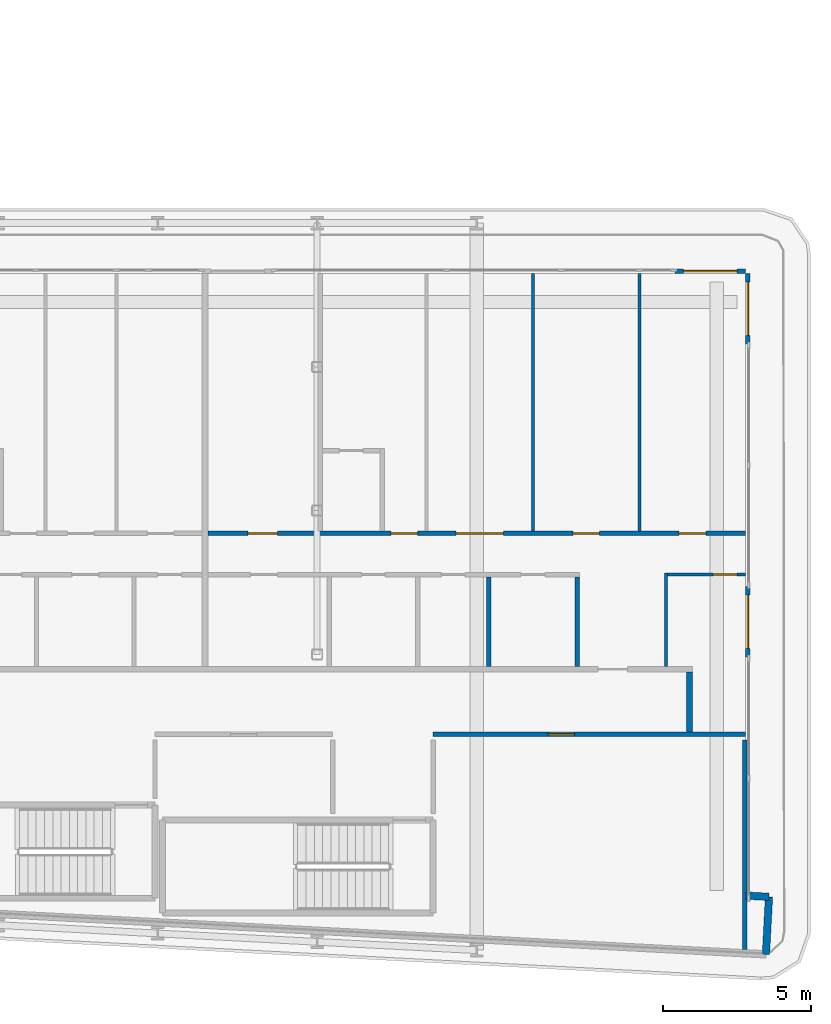
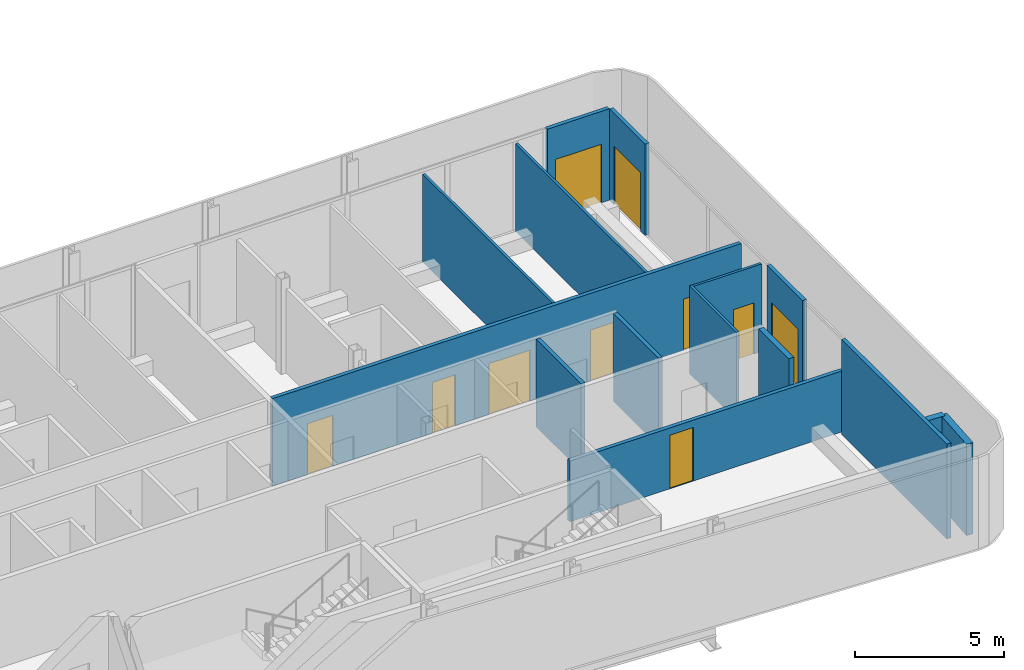
# One storey, part 20 of 29: 15 walls, 10 doors, 10 openings.
"""IFC4 building model written with IfcOpenShell, lengths in metres."""

from ifc_helpers import new_model, si_unit, direction, frame, frame_2d, origin, place, context, subcontext, project, spatial, rectangle, extrude, source, transform, mapped, material, layer, layer_set, type_object, element, fill, save


model = new_model("IFC4")

# Units and contexts
model_context = context("Model", 3, precision=1e-05, world=origin(), true_north=direction((0.0, 1.0)))
body_context = subcontext(model_context, "Body", "Model", "MODEL_VIEW")
ifc_project = project(units=[si_unit("LENGTHUNIT", "METRE"), si_unit("AREAUNIT", "SQUARE_METRE"), si_unit("VOLUMEUNIT", "CUBIC_METRE"), si_unit("PLANEANGLEUNIT", "RADIAN"), si_unit("MASSUNIT", "GRAM", prefix="KILO")], contexts=[model_context])

# Site, building, storey
site_placement = place(None, origin())
site = spatial("IfcSite", under=ifc_project, at=site_placement, CompositionType="ELEMENT")
building_placement = place(site_placement, origin())
building = spatial("IfcBuilding", under=site, at=building_placement, Name="Kheshtan School and Residences Tower", CompositionType="ELEMENT")
storey_placement = place(building_placement, frame((0.0, 0.0, 121.39990234375)))
storey = spatial("IfcBuildingStorey", under=building, at=storey_placement, Name="L28", CompositionType="ELEMENT", Elevation=121.39990234375)

# Walls
ifc_material_1 = material(Name="Gypsum board on steel studs with fire boards", Category="steel")
ifc_layer_1 = layer(ifc_material_1, 0.199951171875)
ifc_layer_set_1 = layer_set([ifc_layer_1], Name="Corridor wall 200")
wall_type_1 = type_object("IfcWallType", Name="Corridor wall 200", PredefinedType="PARTITIONING", material=ifc_layer_set_1)
wall_1_placement = place(storey_placement, frame((98.0, 28.3740234375, 0.0), z_axis=(0.0, 0.0, 1.0), x_axis=(0.0, 1.0, 0.0)))
element("IfcWall", 1, at=wall_1_placement, inside=storey, type_object=wall_type_1, Name="Partition L28-094", PredefinedType="PARTITIONING", context=body_context, shape_type="SweptSolid", body=[
    extrude(rectangle(XDim=2.02587890625, YDim=0.199951171875, at=frame_2d((1.012939453125, 0.0))), origin(), (0.0, 0.0, 1.0), 3.60009765625),
])
ifc_material_2 = material(Name="Concrete C40/50 with ceramic cladding and mineral wool insulation", Category="concrete")
ifc_layer_2 = layer(ifc_material_2, 0.25)
ifc_layer_set_2 = layer_set([ifc_layer_2], Name="External wall 250 ceramic clad")
wall_type_2 = type_object("IfcWallType", Name="External wall 250 ceramic clad", PredefinedType="SOLIDWALL", material=ifc_layer_set_2)
wall_2_placement = place(storey_placement, frame((99.906982421875, 22.839111328125, 0.0), z_axis=(0.0, 0.0, 1.0), x_axis=(0.998561284263, -0.053622398031, 0.0)))
element("IfcWall", 2, at=wall_2_placement, inside=storey, type_object=wall_type_2, Name="External wall L28 14", PredefinedType="SOLIDWALL", context=body_context, shape_type="SweptSolid", body=[
    extrude(rectangle(XDim=0.783203125, YDim=0.25, at=frame_2d((0.3916015625, 0.0))), origin(), (0.0, 0.0, 1.0), 3.75),
])
wall_3_placement = place(storey_placement, frame((100.68896484375, 22.797119140625, 0.0), z_axis=(0.0, 0.0, 1.0), x_axis=(-0.052841433274, -0.998602915542, 0.0)))
element("IfcWall", 3, at=wall_3_placement, inside=storey, type_object=wall_type_2, Name="External wall L28 15", PredefinedType="SOLIDWALL", context=body_context, shape_type="SweptSolid", body=[
    extrude(rectangle(XDim=1.94970703125, YDim=0.25, at=frame_2d((0.974853515625, 0.0))), origin(), (0.0, 0.0, 1.0), 3.75),
])

# Wall, opening, door
ifc_material_3 = material(Name="Aluminium frame wall with insulated infill", Category="aluminium")
ifc_layer_3 = layer(ifc_material_3, 0.14990234375)
ifc_layer_set_3 = layer_set([ifc_layer_3], Name="Glazing frame wall 150")
wall_type_3 = type_object("IfcWallType", Name="Glazing frame wall 150", PredefinedType="SOLIDWALL", material=ifc_layer_set_3)
wall_4_placement = place(storey_placement, frame((97.5, 43.97509765625, 0.0), z_axis=(0.0, 0.0, 1.0), x_axis=(1.0, 0.0, 0.0)))
wall_4 = element("IfcWall", 4, at=wall_4_placement, inside=storey, type_object=wall_type_3, Name="Balcony door wall L28 12.5", PredefinedType="SOLIDWALL", context=body_context, shape_type="SweptSolid", body=[
    extrude(rectangle(XDim=2.39990234375, YDim=0.14990234375, at=frame_2d((1.199951171875, 0.0))), origin(), (0.0, 0.0, 1.0), 3.75),
])
opening_1_placement = place(wall_4_placement, frame((0.300048828125, 0.0, 0.0)))
opening_1 = element("IfcOpeningElement", 5, at=opening_1_placement, cuts=wall_4, Name="Opening BD", PredefinedType="OPENING", context=body_context, shape_type="SweptSolid", body=[
    extrude(rectangle(XDim=1.800048828125, YDim=2.39990234375, at=frame_2d((0.89990234375, 1.199951171875))), frame((0.0, 0.0849609375, 0.0), z_axis=(0.0, -1.0, 0.0), x_axis=(1.0, 0.0, 0.0)), (0.0, 0.0, 1.0), 0.169921875),
])
ifc_material_4 = material(Name="Clear low-e glass in thermally broken aluminium frame", Category="aluminium")
door_type_1 = type_object("IfcDoorType", Name="Balcony sliding door", OperationType="SLIDING_TO_LEFT", PredefinedType="DOOR", material=ifc_material_4)
shared_shape_1 = source(origin(), body_context, "Body", "SweptSolid", [
    extrude(rectangle(XDim=1.800048828125, YDim=2.39990234375, at=frame_2d((0.89990234375, 1.199951171875))), frame((0.0, 0.02490234375, 0.0), z_axis=(0.0, -1.0, 0.0), x_axis=(1.0, 0.0, 0.0)), (0.0, 0.0, 1.0), 0.050048828125),
])
door_1_placement = place(opening_1_placement, origin())
door_1 = element("IfcDoor", 6, at=door_1_placement, inside=storey, type_object=door_type_1, Name="Balcony door L28 12.5", OperationType="SLIDING_TO_LEFT", OverallHeight=2.39990234375, OverallWidth=1.800048828125, PredefinedType="DOOR", context=body_context, shape_type="MappedRepresentation", body=[
    mapped(shared_shape_1, transform((0.0, 0.0, 0.0), x_axis=(1.0, 0.0, 0.0), y_axis=(0.0, 1.0, 0.0), z_axis=(0.0, 0.0, 1.0), scale=1.0)),
])
fill(opening_1, door_1)

wall_5_placement = place(storey_placement, frame((99.97509765625, 43.89990234375, 0.0), z_axis=(0.0, 0.0, 1.0), x_axis=(0.0, -1.0, 0.0)))
wall_5 = element("IfcWall", 7, at=wall_5_placement, inside=storey, type_object=wall_type_3, Name="Balcony door wall L28 13.1", PredefinedType="SOLIDWALL", context=body_context, shape_type="SweptSolid", body=[
    extrude(rectangle(XDim=2.39990234375, YDim=0.14990234375, at=frame_2d((1.199951171875, 0.0))), origin(), (0.0, 0.0, 1.0), 3.75),
])
opening_2_placement = place(wall_5_placement, frame((0.300048828125, 0.0, 0.0)))
opening_2 = element("IfcOpeningElement", 8, at=opening_2_placement, cuts=wall_5, Name="Opening BD", PredefinedType="OPENING", context=body_context, shape_type="SweptSolid", body=[
    extrude(rectangle(XDim=1.800048828125, YDim=2.39990234375, at=frame_2d((0.89990234375, 1.199951171875))), frame((0.0, 0.0849609375, 0.0), z_axis=(0.0, -1.0, 0.0), x_axis=(1.0, 0.0, 0.0)), (0.0, 0.0, 1.0), 0.169921875),
])
door_2_placement = place(opening_2_placement, origin())
door_2 = element("IfcDoor", 9, at=door_2_placement, inside=storey, type_object=door_type_1, Name="Balcony door L28 13.1", OperationType="SLIDING_TO_LEFT", OverallHeight=2.39990234375, OverallWidth=1.800048828125, PredefinedType="DOOR", context=body_context, shape_type="MappedRepresentation", body=[
    mapped(shared_shape_1, transform((0.0, 0.0, 0.0), x_axis=(1.0, 0.0, 0.0), y_axis=(0.0, 1.0, 0.0), z_axis=(0.0, 0.0, 1.0), scale=1.0)),
])
fill(opening_2, door_2)

wall_6_placement = place(storey_placement, frame((99.97509765625, 33.306884765625, 0.0), z_axis=(0.0, 0.0, 1.0), x_axis=(0.0, -1.0, 0.0)))
wall_6 = element("IfcWall", 10, at=wall_6_placement, inside=storey, type_object=wall_type_3, Name="Balcony door wall L28 13.2", PredefinedType="SOLIDWALL", context=body_context, shape_type="SweptSolid", body=[
    extrude(rectangle(XDim=2.39990234375, YDim=0.14990234375, at=frame_2d((1.199951171875, 0.0))), origin(), (0.0, 0.0, 1.0), 3.75),
])
opening_3_placement = place(wall_6_placement, frame((0.300048828125, 0.0, 0.0)))
opening_3 = element("IfcOpeningElement", 11, at=opening_3_placement, cuts=wall_6, Name="Opening BD", PredefinedType="OPENING", context=body_context, shape_type="SweptSolid", body=[
    extrude(rectangle(XDim=1.800048828125, YDim=2.39990234375, at=frame_2d((0.89990234375, 1.199951171875))), frame((0.0, 0.0849609375, 0.0), z_axis=(0.0, -1.0, 0.0), x_axis=(1.0, 0.0, 0.0)), (0.0, 0.0, 1.0), 0.169921875),
])
door_3_placement = place(opening_3_placement, origin())
door_3 = element("IfcDoor", 12, at=door_3_placement, inside=storey, type_object=door_type_1, Name="Balcony door L28 13.2", OperationType="SLIDING_TO_LEFT", OverallHeight=2.39990234375, OverallWidth=1.800048828125, PredefinedType="DOOR", context=body_context, shape_type="MappedRepresentation", body=[
    mapped(shared_shape_1, transform((0.0, 0.0, 0.0), x_axis=(1.0, 0.0, 0.0), y_axis=(0.0, 1.0, 0.0), z_axis=(0.0, 0.0, 1.0), scale=1.0)),
])
fill(opening_3, door_3)

# Walls
ifc_material_5 = material(Name="Gypsum board on steel studs", Category="steel")
ifc_layer_4 = layer(ifc_material_5, 0.10009765625)
ifc_layer_set_4 = layer_set([ifc_layer_4], Name="Gypsum partition 100")
wall_type_4 = type_object("IfcWallType", Name="Gypsum partition 100", PredefinedType="PARTITIONING", material=ifc_layer_set_4)
for number, where, z_axis, x_axis, name in (
    (13, (92.699951171875, 35.175048828125, 0.0), (0.0, 0.0, 1.0), (0.0, 1.0, 0.0), "Partition L28-089"),
    (14, (96.300048828125, 35.175048828125, 0.0), (0.0, 0.0, 1.0), (0.0, 1.0, 0.0), "Partition L28-091"),
):
    element("IfcWall", number, at=place(storey_placement, frame(where, z_axis=z_axis, x_axis=x_axis)), inside=storey, type_object=wall_type_4, Name=name, PredefinedType="PARTITIONING", context=body_context, shape_type="SweptSolid", body=[
        extrude(rectangle(XDim=8.724853515625, YDim=0.10009765625, at=frame_2d((4.3623046875, 0.0))), origin(), (0.0, 0.0, 1.0), 3.60009765625),
    ])
wall_7_placement = place(storey_placement, frame((97.199951171875, 30.60009765625, 0.0), z_axis=(0.0, 0.0, 1.0), x_axis=(0.0, 1.0, 0.0)))
element("IfcWall", 15, at=wall_7_placement, inside=storey, type_object=wall_type_4, Name="Partition L28-092", PredefinedType="PARTITIONING", context=body_context, shape_type="SweptSolid", body=[
    extrude(rectangle(XDim=3.14990234375, YDim=0.10009765625, at=frame_2d((1.574951171875, 0.0))), origin(), (0.0, 0.0, 1.0), 3.60009765625),
])

# Wall, opening, door
wall_8_placement = place(storey_placement, frame((97.25, 33.699951171875, 0.0), z_axis=(0.0, 0.0, 1.0), x_axis=(1.0, 0.0, 0.0)))
wall_8 = element("IfcWall", 16, at=wall_8_placement, inside=storey, type_object=wall_type_4, Name="Partition L28-093", PredefinedType="PARTITIONING", context=body_context, shape_type="SweptSolid", body=[
    extrude(rectangle(XDim=2.64990234375, YDim=0.10009765625, at=frame_2d((1.324951171875, 0.0))), origin(), (0.0, 0.0, 1.0), 3.60009765625),
])
opening_4_placement = place(wall_8_placement, frame((1.550048828125, 0.0, 0.0)))
opening_4 = element("IfcOpeningElement", 17, at=opening_4_placement, cuts=wall_8, Name="Opening D27-027", PredefinedType="OPENING", context=body_context, shape_type="SweptSolid", body=[
    extrude(rectangle(XDim=0.800048828125, YDim=2.10009765625, at=frame_2d((0.39990234375, 1.050048828125))), frame((0.0, 0.06005859375, 0.0), z_axis=(0.0, -1.0, 0.0), x_axis=(1.0, 0.0, 0.0)), (0.0, 0.0, 1.0), 0.1201171875),
])
ifc_material_6 = material(Name="Veneered timber door leaf", Category="wood")
door_type_2 = type_object("IfcDoorType", Name="Door 800 x 2100", OperationType="SINGLE_SWING_LEFT", PredefinedType="DOOR", material=ifc_material_6)
shared_shape_2 = source(origin(), body_context, "Body", "SweptSolid", [
    extrude(rectangle(XDim=0.800048828125, YDim=2.10009765625, at=frame_2d((0.39990234375, 1.050048828125))), frame((0.0, 0.02490234375, 0.0), z_axis=(0.0, -1.0, 0.0), x_axis=(1.0, 0.0, 0.0)), (0.0, 0.0, 1.0), 0.050048828125),
])
door_4_placement = place(opening_4_placement, origin())
door_4 = element("IfcDoor", 18, at=door_4_placement, inside=storey, type_object=door_type_2, Name="Door D27-027", OperationType="SINGLE_SWING_LEFT", OverallHeight=2.10009765625, OverallWidth=0.800048828125, PredefinedType="DOOR", context=body_context, shape_type="MappedRepresentation", body=[
    mapped(shared_shape_2, transform((0.0, 0.0, 0.0), x_axis=(1.0, 0.0, 0.0), y_axis=(0.0, 1.0, 0.0), z_axis=(0.0, 0.0, 1.0), scale=1.0)),
])
fill(opening_4, door_4)

ifc_material_7 = material(Name="Fire-board shaft wall system")
ifc_layer_5 = layer(ifc_material_7, 0.14990234375)
ifc_layer_set_5 = layer_set([ifc_layer_5], Name="Service room wall 150")
wall_type_5 = type_object("IfcWallType", Name="Service room wall 150", PredefinedType="PARTITIONING", material=ifc_layer_set_5)
wall_9_placement = place(storey_placement, frame((89.320068359375, 28.300048828125, 0.0), z_axis=(0.0, 0.0, 1.0), x_axis=(1.0, 0.0, 0.0)))
wall_9 = element("IfcWall", 19, at=wall_9_placement, inside=storey, type_object=wall_type_5, Name="Service room wall", PredefinedType="PARTITIONING", context=body_context, shape_type="SweptSolid", body=[
    extrude(rectangle(XDim=10.577880859375, YDim=0.14990234375, at=frame_2d((5.2890625, 0.0))), origin(), (0.0, 0.0, 1.0), 2.5),
])
opening_5_placement = place(wall_9_placement, frame((3.889892578125, 0.0, 0.0)))
opening_5 = element("IfcOpeningElement", 20, at=opening_5_placement, cuts=wall_9, Name="Opening SR90", PredefinedType="OPENING", context=body_context, shape_type="SweptSolid", body=[
    extrude(rectangle(XDim=0.89990234375, YDim=2.199951171875, at=frame_2d((0.449951171875, 1.10009765625))), frame((0.0, 0.0849609375, 0.0), z_axis=(0.0, -1.0, 0.0), x_axis=(1.0, 0.0, 0.0)), (0.0, 0.0, 1.0), 0.169921875),
])
ifc_material_8 = material(Name="Steel door leaf, galvanised", Category="steel")
door_type_3 = type_object("IfcDoorType", Name="Service room door 900 steel 90 min", OperationType="SINGLE_SWING_LEFT", PredefinedType="DOOR", material=ifc_material_8)
shared_shape_3 = source(origin(), body_context, "Body", "SweptSolid", [
    extrude(rectangle(XDim=0.89990234375, YDim=2.199951171875, at=frame_2d((0.449951171875, 1.10009765625))), frame((0.0, 0.02490234375, 0.0), z_axis=(0.0, -1.0, 0.0), x_axis=(1.0, 0.0, 0.0)), (0.0, 0.0, 1.0), 0.050048828125),
])
door_5_placement = place(opening_5_placement, origin())
door_5 = element("IfcDoor", 21, at=door_5_placement, inside=storey, type_object=door_type_3, Name="Service room door", OperationType="SINGLE_SWING_RIGHT", OverallHeight=2.199951171875, OverallWidth=0.89990234375, PredefinedType="DOOR", context=body_context, shape_type="MappedRepresentation", body=[
    mapped(shared_shape_3, transform((0.0, 0.0, 0.0), x_axis=(1.0, 0.0, 0.0), y_axis=(0.0, 1.0, 0.0), z_axis=(0.0, 0.0, 1.0), scale=1.0)),
])
fill(opening_5, door_5)

# Wall
wall_10_placement = place(storey_placement, frame((99.8701171875, 21.014892578125, 0.0), z_axis=(0.0, 0.0, 1.0), x_axis=(0.0, 1.0, 0.0)))
element("IfcWall", 22, at=wall_10_placement, inside=storey, type_object=wall_type_5, Name="Service room wall", PredefinedType="PARTITIONING", context=body_context, shape_type="SweptSolid", body=[
    extrude(rectangle(XDim=7.090087890625, YDim=0.14990234375, at=frame_2d((3.544921875, 0.0))), origin(), (0.0, 0.0, 1.0), 3.900146484375),
])

# Wall, openings, doors
ifc_material_9 = material(Name="Moisture-resistant gypsum board on steel studs", Category="steel")
ifc_layer_6 = layer(ifc_material_9, 0.14990234375)
ifc_layer_set_6 = layer_set([ifc_layer_6], Name="Wet-room partition 150")
wall_type_6 = type_object("IfcWallType", Name="Wet-room partition 150", PredefinedType="PARTITIONING", material=ifc_layer_set_6)
wall_11_placement = place(storey_placement, frame((81.699951171875, 35.10009765625, 0.0), z_axis=(0.0, 0.0, 1.0), x_axis=(1.0, 0.0, 0.0)))
wall_11 = element("IfcWall", 23, at=wall_11_placement, inside=storey, type_object=wall_type_6, Name="Partition L28-081", PredefinedType="PARTITIONING", context=body_context, shape_type="SweptSolid", body=[
    extrude(rectangle(XDim=18.199951171875, YDim=0.14990234375, at=frame_2d((9.10009765625, 0.0))), origin(), (0.0, 0.0, 1.0), 3.60009765625),
])
opening_6_placement = place(wall_11_placement, frame((12.35009765625, 0.0, 0.0)))
opening_6 = element("IfcOpeningElement", 24, at=opening_6_placement, cuts=wall_11, Name="Opening D27-025", PredefinedType="OPENING", context=body_context, shape_type="SweptSolid", body=[
    extrude(rectangle(XDim=0.89990234375, YDim=2.10009765625, at=frame_2d((0.449951171875, 1.050048828125))), frame((0.0, 0.0849609375, 0.0), z_axis=(0.0, -1.0, 0.0), x_axis=(1.0, 0.0, 0.0)), (0.0, 0.0, 1.0), 0.169921875),
])
opening_7_placement = place(wall_11_placement, frame((15.949951171875, 0.0, 0.0)))
opening_7 = element("IfcOpeningElement", 25, at=opening_7_placement, cuts=wall_11, Name="Opening D27-026", PredefinedType="OPENING", context=body_context, shape_type="SweptSolid", body=[
    extrude(rectangle(XDim=0.89990234375, YDim=2.10009765625, at=frame_2d((0.449951171875, 1.050048828125))), frame((0.0, 0.0849609375, 0.0), z_axis=(0.0, -1.0, 0.0), x_axis=(1.0, 0.0, 0.0)), (0.0, 0.0, 1.0), 0.169921875),
])
opening_8_placement = place(wall_11_placement, frame((1.35009765625, 0.0, 0.0)))
opening_8 = element("IfcOpeningElement", 26, at=opening_8_placement, cuts=wall_11, Name="Opening D27-031", PredefinedType="OPENING", context=body_context, shape_type="SweptSolid", body=[
    extrude(rectangle(XDim=1.0, YDim=2.10009765625, at=frame_2d((0.5, 1.050048828125))), frame((0.0, 0.0849609375, 0.0), z_axis=(0.0, -1.0, 0.0), x_axis=(1.0, 0.0, 0.0)), (0.0, 0.0, 1.0), 0.169921875),
])
opening_9_placement = place(wall_11_placement, frame((8.39990234375, 0.0, 0.0)))
opening_9 = element("IfcOpeningElement", 27, at=opening_9_placement, cuts=wall_11, Name="Opening D27-032", PredefinedType="OPENING", context=body_context, shape_type="SweptSolid", body=[
    extrude(rectangle(XDim=1.60009765625, YDim=2.10009765625, at=frame_2d((0.800048828125, 1.050048828125))), frame((0.0, 0.0849609375, 0.0), z_axis=(0.0, -1.0, 0.0), x_axis=(1.0, 0.0, 0.0)), (0.0, 0.0, 1.0), 0.169921875),
])
opening_10_placement = place(wall_11_placement, frame((6.199951171875, 0.0, 0.0)))
opening_10 = element("IfcOpeningElement", 28, at=opening_10_placement, cuts=wall_11, Name="Opening D27-033", PredefinedType="OPENING", context=body_context, shape_type="SweptSolid", body=[
    extrude(rectangle(XDim=0.89990234375, YDim=2.10009765625, at=frame_2d((0.449951171875, 1.050048828125))), frame((0.0, 0.0849609375, 0.0), z_axis=(0.0, -1.0, 0.0), x_axis=(1.0, 0.0, 0.0)), (0.0, 0.0, 1.0), 0.169921875),
])
door_type_4 = type_object("IfcDoorType", Name="Door 1000 x 2100", OperationType="SINGLE_SWING_LEFT", PredefinedType="DOOR", material=ifc_material_6)
shared_shape_4 = source(origin(), body_context, "Body", "SweptSolid", [
    extrude(rectangle(XDim=1.0, YDim=2.10009765625, at=frame_2d((0.5, 1.050048828125))), frame((0.0, 0.02490234375, 0.0), z_axis=(0.0, -1.0, 0.0), x_axis=(1.0, 0.0, 0.0)), (0.0, 0.0, 1.0), 0.050048828125),
])
door_6_placement = place(opening_8_placement, origin())
door_6 = element("IfcDoor", 29, at=door_6_placement, inside=storey, type_object=door_type_4, Name="Door D27-031", OperationType="SINGLE_SWING_RIGHT", OverallHeight=2.10009765625, OverallWidth=1.0, PredefinedType="DOOR", context=body_context, shape_type="MappedRepresentation", body=[
    mapped(shared_shape_4, transform((0.0, 0.0, 0.0), x_axis=(1.0, 0.0, 0.0), y_axis=(0.0, 1.0, 0.0), z_axis=(0.0, 0.0, 1.0), scale=1.0)),
])
fill(opening_8, door_6)
door_type_5 = type_object("IfcDoorType", Name="Door 900 x 2100", OperationType="SINGLE_SWING_LEFT", PredefinedType="DOOR", material=ifc_material_6)
shared_shape_5 = source(origin(), body_context, "Body", "SweptSolid", [
    extrude(rectangle(XDim=0.89990234375, YDim=2.10009765625, at=frame_2d((0.449951171875, 1.050048828125))), frame((0.0, 0.02490234375, 0.0), z_axis=(0.0, -1.0, 0.0), x_axis=(1.0, 0.0, 0.0)), (0.0, 0.0, 1.0), 0.050048828125),
])
door_7_placement = place(opening_6_placement, origin())
door_7 = element("IfcDoor", 30, at=door_7_placement, inside=storey, type_object=door_type_5, Name="Door D27-025", OperationType="SINGLE_SWING_RIGHT", OverallHeight=2.10009765625, OverallWidth=0.89990234375, PredefinedType="DOOR", context=body_context, shape_type="MappedRepresentation", body=[
    mapped(shared_shape_5, transform((0.0, 0.0, 0.0), x_axis=(1.0, 0.0, 0.0), y_axis=(0.0, 1.0, 0.0), z_axis=(0.0, 0.0, 1.0), scale=1.0)),
])
fill(opening_6, door_7)
door_8_placement = place(opening_7_placement, origin())
door_8 = element("IfcDoor", 31, at=door_8_placement, inside=storey, type_object=door_type_5, Name="Door D27-026", OperationType="SINGLE_SWING_LEFT", OverallHeight=2.10009765625, OverallWidth=0.89990234375, PredefinedType="DOOR", context=body_context, shape_type="MappedRepresentation", body=[
    mapped(shared_shape_5, transform((0.0, 0.0, 0.0), x_axis=(1.0, 0.0, 0.0), y_axis=(0.0, 1.0, 0.0), z_axis=(0.0, 0.0, 1.0), scale=1.0)),
])
fill(opening_7, door_8)
door_9_placement = place(opening_10_placement, origin())
door_9 = element("IfcDoor", 32, at=door_9_placement, inside=storey, type_object=door_type_5, Name="Door D27-033", OperationType="SINGLE_SWING_RIGHT", OverallHeight=2.10009765625, OverallWidth=0.89990234375, PredefinedType="DOOR", context=body_context, shape_type="MappedRepresentation", body=[
    mapped(shared_shape_5, transform((0.0, 0.0, 0.0), x_axis=(1.0, 0.0, 0.0), y_axis=(0.0, 1.0, 0.0), z_axis=(0.0, 0.0, 1.0), scale=1.0)),
])
fill(opening_10, door_9)
door_type_6 = type_object("IfcDoorType", Name="Double door 1600 x 2100", OperationType="DOUBLE_DOOR_SINGLE_SWING", PredefinedType="DOOR", material=ifc_material_6)
shared_shape_6 = source(origin(), body_context, "Body", "SweptSolid", [
    extrude(rectangle(XDim=1.60009765625, YDim=2.10009765625, at=frame_2d((0.800048828125, 1.050048828125))), frame((0.0, 0.02490234375, 0.0), z_axis=(0.0, -1.0, 0.0), x_axis=(1.0, 0.0, 0.0)), (0.0, 0.0, 1.0), 0.050048828125),
])
door_10_placement = place(opening_9_placement, origin())
door_10 = element("IfcDoor", 33, at=door_10_placement, inside=storey, type_object=door_type_6, Name="Door D27-032", OperationType="DOUBLE_DOOR_SINGLE_SWING", OverallHeight=2.10009765625, OverallWidth=1.60009765625, PredefinedType="DOOR", context=body_context, shape_type="MappedRepresentation", body=[
    mapped(shared_shape_6, transform((0.0, 0.0, 0.0), x_axis=(1.0, 0.0, 0.0), y_axis=(0.0, 1.0, 0.0), z_axis=(0.0, 0.0, 1.0), scale=1.0)),
])
fill(opening_9, door_10)

# Walls
for number, where, z_axis, x_axis, name in (
    (34, (91.199951171875, 30.60009765625, 0.0), (0.0, 0.0, 1.0), (0.0, 1.0, 0.0), "Partition L28-088"),
    (35, (94.199951171875, 30.60009765625, 0.0), (0.0, 0.0, 1.0), (0.0, 1.0, 0.0), "Partition L28-090"),
):
    element("IfcWall", number, at=place(storey_placement, frame(where, z_axis=z_axis, x_axis=x_axis)), inside=storey, type_object=wall_type_6, Name=name, PredefinedType="PARTITIONING", context=body_context, shape_type="SweptSolid", body=[
        extrude(rectangle(XDim=3.02490234375, YDim=0.14990234375, at=frame_2d((1.512451171875, 0.0))), origin(), (0.0, 0.0, 1.0), 3.60009765625),
    ])

save(model, "model.ifc")
